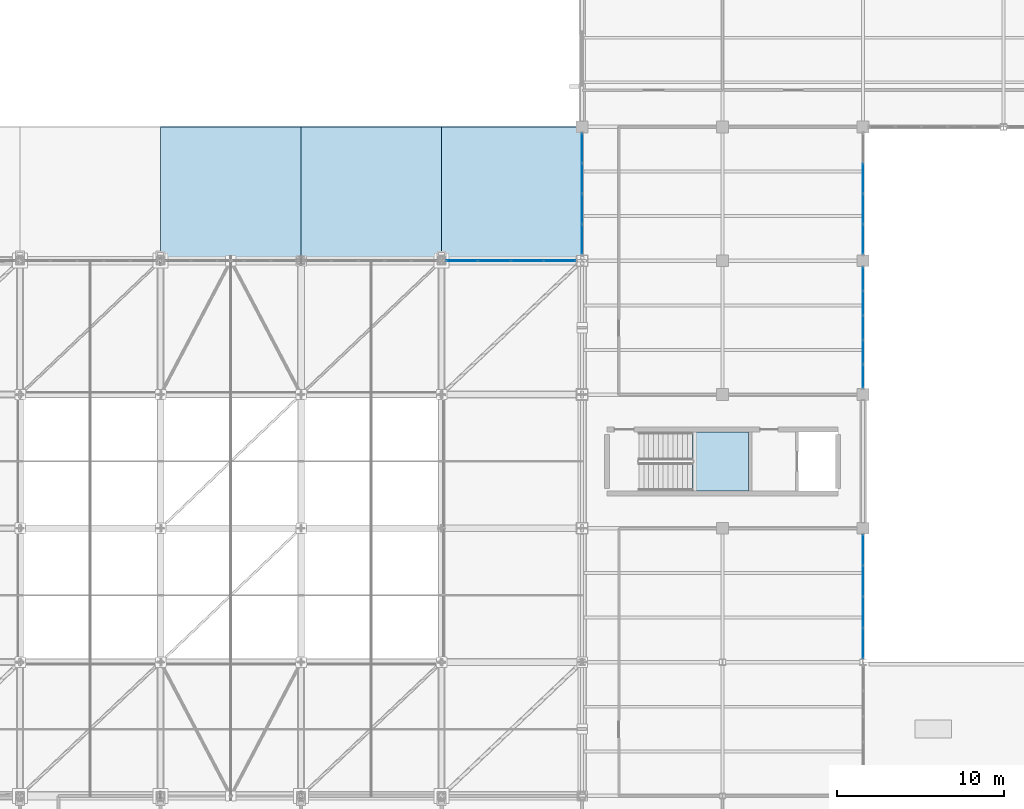
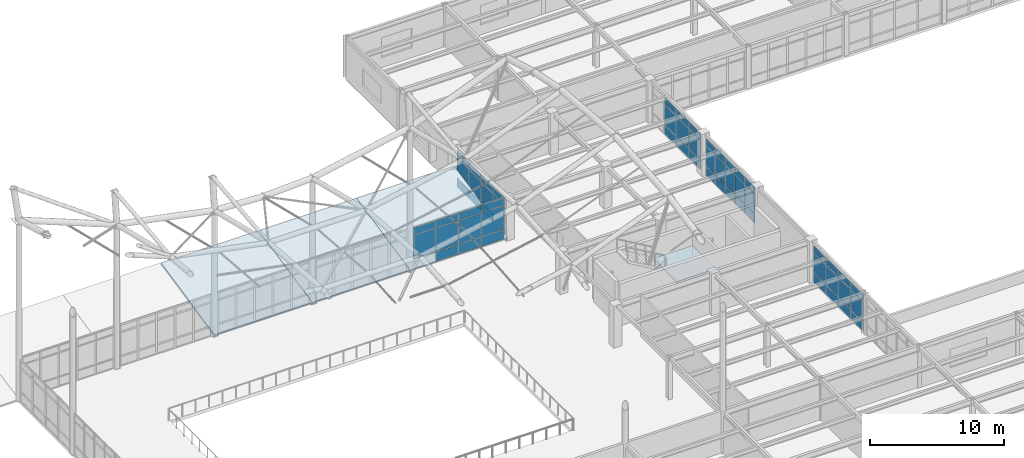
# One storey, part 63 of 138: 59 plates, 4 slabs, 6 elements without a shape of their own.
"""IFC4 building model written with IfcOpenShell, lengths in metres."""

from ifc_helpers import new_model, si_unit, direction, frame, origin, origin_2d, place, context, subcontext, project, spatial, polyline, rectangle, outline, extrude, material, layer, layer_set, type_object, element, aggregate, save


model = new_model("IFC4")

# Units and contexts
model_context = context("Model", 3, precision=1e-05, world=origin(), true_north=direction((0.0, 1.0)))
body_context = subcontext(model_context, "Body", "Model", "MODEL_VIEW")
ifc_project = project(units=[si_unit("LENGTHUNIT", "METRE"), si_unit("AREAUNIT", "SQUARE_METRE"), si_unit("VOLUMEUNIT", "CUBIC_METRE"), si_unit("PLANEANGLEUNIT", "RADIAN"), si_unit("MASSUNIT", "GRAM", prefix="KILO")], contexts=[model_context])

# Site, building, storey
site_placement = place(None, origin())
site = spatial("IfcSite", under=ifc_project, at=site_placement, CompositionType="ELEMENT")
building_placement = place(site_placement, origin())
building = spatial("IfcBuilding", under=site, at=building_placement, Name="Kranzveld Transit Interchange", CompositionType="ELEMENT")
storey_placement = place(building_placement, frame((0.0, 0.0, 5.43994140625)))
storey = spatial("IfcBuildingStorey", under=building, at=storey_placement, Name="L01", CompositionType="ELEMENT", Elevation=5.43994140625)

# Curtain wall, plates
ifc_material_1 = material(Name="Bronze-anodised thermally broken aluminium", Category="aluminium")
ifc_layer_1 = layer(ifc_material_1, 0.159912109375)
ifc_layer_set_1 = layer_set([ifc_layer_1], Name="Bronze-anodised thermally broken aluminium")
curtain_wall_type_1 = type_object("IfcCurtainWallType", Name="Bus Boarding Glazed Screen CW-3", PredefinedType="USERDEFINED", material=ifc_layer_set_1)
curtain_wall_1_placement = place(storey_placement, origin())
curtain_wall_1 = element("IfcCurtainWall", 1, at=curtain_wall_1_placement, inside=storey, type_object=curtain_wall_type_1, Name="L01 Curtain Wall 15/J-15/K", ObjectType="CURTAIN WALL", PredefinedType="USERDEFINED")
ifc_material_2 = material(Name="Solar-control double glazing", Category="glass")
ifc_layer_2 = layer(ifc_material_2, 0.031982421875)
ifc_layer_set_2 = layer_set([ifc_layer_2], Name="Solar-control double glazing")
plate_type_1 = type_object("IfcPlateType", Name="Curtain Panel Acoustic Glazing 32", PredefinedType="CURTAIN_PANEL", material=ifc_layer_set_2)
plate_1_placement = place(storey_placement, frame((117.60009765625, 65.13525390625, 0.06005859375), z_axis=(0.0, 0.0, 1.0), x_axis=(0.0, 1.0, 0.0)))
plate_1 = element("IfcPlate", 2, at=plate_1_placement, type_object=plate_type_1, Name="CW-3 panel 1.1", PredefinedType="CURTAIN_PANEL", context=body_context, shape_type="SweptSolid", body=[
    extrude(rectangle(XDim=1.775634765625, YDim=0.031982421875, at=origin_2d()), origin(), (0.0, 0.0, 1.0), 0.81005859375),
])
plate_2_placement = place(storey_placement, frame((117.60009765625, 65.13525390625, 0.93017578125), z_axis=(0.0, 0.0, 1.0), x_axis=(0.0, 1.0, 0.0)))
plate_2 = element("IfcPlate", 3, at=plate_2_placement, type_object=plate_type_1, Name="CW-3 panel 1.2", PredefinedType="CURTAIN_PANEL", context=body_context, shape_type="SweptSolid", body=[
    extrude(rectangle(XDim=1.775634765625, YDim=0.031982421875, at=origin_2d()), origin(), (0.0, 0.0, 1.0), 1.781982421875),
])
plate_3_placement = place(storey_placement, frame((117.60009765625, 65.13525390625, 2.77197265625), z_axis=(0.0, 0.0, 1.0), x_axis=(0.0, 1.0, 0.0)))
plate_3 = element("IfcPlate", 4, at=plate_3_placement, type_object=plate_type_1, Name="CW-3 panel 1.3", PredefinedType="CURTAIN_PANEL", context=body_context, shape_type="SweptSolid", body=[
    extrude(rectangle(XDim=1.775634765625, YDim=0.031982421875, at=origin_2d()), origin(), (0.0, 0.0, 1.0), 0.610107421875),
])
plate_4_placement = place(storey_placement, frame((117.60009765625, 66.98583984375, 0.06005859375), z_axis=(0.0, 0.0, 1.0), x_axis=(0.0, 1.0, 0.0)))
plate_4 = element("IfcPlate", 5, at=plate_4_placement, type_object=plate_type_1, Name="CW-3 panel 2.1", PredefinedType="CURTAIN_PANEL", context=body_context, shape_type="SweptSolid", body=[
    extrude(rectangle(XDim=1.8056640625, YDim=0.031982421875, at=origin_2d()), origin(), (0.0, 0.0, 1.0), 0.81005859375),
])
plate_5_placement = place(storey_placement, frame((117.60009765625, 66.98583984375, 0.93017578125), z_axis=(0.0, 0.0, 1.0), x_axis=(0.0, 1.0, 0.0)))
plate_5 = element("IfcPlate", 6, at=plate_5_placement, type_object=plate_type_1, Name="CW-3 panel 2.2", PredefinedType="CURTAIN_PANEL", context=body_context, shape_type="SweptSolid", body=[
    extrude(rectangle(XDim=1.8056640625, YDim=0.031982421875, at=origin_2d()), origin(), (0.0, 0.0, 1.0), 1.781982421875),
])
plate_6_placement = place(storey_placement, frame((117.60009765625, 66.98583984375, 2.77197265625), z_axis=(0.0, 0.0, 1.0), x_axis=(0.0, 1.0, 0.0)))
plate_6 = element("IfcPlate", 7, at=plate_6_placement, type_object=plate_type_1, Name="CW-3 panel 2.3", PredefinedType="CURTAIN_PANEL", context=body_context, shape_type="SweptSolid", body=[
    extrude(rectangle(XDim=1.8056640625, YDim=0.031982421875, at=origin_2d()), origin(), (0.0, 0.0, 1.0), 0.610107421875),
])
plate_7_placement = place(storey_placement, frame((117.60009765625, 68.8515625, 0.06005859375), z_axis=(0.0, 0.0, 1.0), x_axis=(0.0, 1.0, 0.0)))
plate_7 = element("IfcPlate", 8, at=plate_7_placement, type_object=plate_type_1, Name="CW-3 panel 3.1", PredefinedType="CURTAIN_PANEL", context=body_context, shape_type="SweptSolid", body=[
    extrude(rectangle(XDim=1.8056640625, YDim=0.031982421875, at=origin_2d()), origin(), (0.0, 0.0, 1.0), 0.81005859375),
])
plate_8_placement = place(storey_placement, frame((117.60009765625, 68.8515625, 0.93017578125), z_axis=(0.0, 0.0, 1.0), x_axis=(0.0, 1.0, 0.0)))
plate_8 = element("IfcPlate", 9, at=plate_8_placement, type_object=plate_type_1, Name="CW-3 panel 3.2", PredefinedType="CURTAIN_PANEL", context=body_context, shape_type="SweptSolid", body=[
    extrude(rectangle(XDim=1.8056640625, YDim=0.031982421875, at=origin_2d()), origin(), (0.0, 0.0, 1.0), 1.781982421875),
])
plate_9_placement = place(storey_placement, frame((117.60009765625, 68.8515625, 2.77197265625), z_axis=(0.0, 0.0, 1.0), x_axis=(0.0, 1.0, 0.0)))
plate_9 = element("IfcPlate", 10, at=plate_9_placement, type_object=plate_type_1, Name="CW-3 panel 3.3", PredefinedType="CURTAIN_PANEL", context=body_context, shape_type="SweptSolid", body=[
    extrude(rectangle(XDim=1.8056640625, YDim=0.031982421875, at=origin_2d()), origin(), (0.0, 0.0, 1.0), 0.610107421875),
])
plate_10_placement = place(storey_placement, frame((117.60009765625, 70.7021484375, 0.06005859375), z_axis=(0.0, 0.0, 1.0), x_axis=(0.0, 1.0, 0.0)))
plate_10 = element("IfcPlate", 11, at=plate_10_placement, type_object=plate_type_1, Name="CW-3 panel 4.1", PredefinedType="CURTAIN_PANEL", context=body_context, shape_type="SweptSolid", body=[
    extrude(rectangle(XDim=1.775634765625, YDim=0.031982421875, at=origin_2d()), origin(), (0.0, 0.0, 1.0), 0.81005859375),
])
plate_11_placement = place(storey_placement, frame((117.60009765625, 70.7021484375, 0.93017578125), z_axis=(0.0, 0.0, 1.0), x_axis=(0.0, 1.0, 0.0)))
plate_11 = element("IfcPlate", 12, at=plate_11_placement, type_object=plate_type_1, Name="CW-3 panel 4.2", PredefinedType="CURTAIN_PANEL", context=body_context, shape_type="SweptSolid", body=[
    extrude(rectangle(XDim=1.775634765625, YDim=0.031982421875, at=origin_2d()), origin(), (0.0, 0.0, 1.0), 1.781982421875),
])
plate_12_placement = place(storey_placement, frame((117.60009765625, 70.7021484375, 2.77197265625), z_axis=(0.0, 0.0, 1.0), x_axis=(0.0, 1.0, 0.0)))
plate_12 = element("IfcPlate", 13, at=plate_12_placement, type_object=plate_type_1, Name="CW-3 panel 4.3", PredefinedType="CURTAIN_PANEL", context=body_context, shape_type="SweptSolid", body=[
    extrude(rectangle(XDim=1.775634765625, YDim=0.031982421875, at=origin_2d()), origin(), (0.0, 0.0, 1.0), 0.610107421875),
])
aggregate(curtain_wall_1, [plate_1, plate_2, plate_3, plate_4, plate_5, plate_6, plate_7, plate_8, plate_9, plate_10, plate_11, plate_12])

ifc_material_3 = material(Name="Bronze-anodised thermally broken aluminium", Category="aluminium")
ifc_layer_3 = layer(ifc_material_3, 0.179931640625)
ifc_layer_set_3 = layer_set([ifc_layer_3], Name="Bronze-anodised thermally broken aluminium")
curtain_wall_type_2 = type_object("IfcCurtainWallType", Name="Concourse Unitised Curtain Wall CW-1", PredefinedType="USERDEFINED", material=ifc_layer_set_3)
curtain_wall_2_placement = place(storey_placement, origin())
curtain_wall_2 = element("IfcCurtainWall", 14, at=curtain_wall_2_placement, inside=storey, type_object=curtain_wall_type_2, Name="L01 Curtain Wall 13/M-13/N", ObjectType="CURTAIN WALL", PredefinedType="USERDEFINED")
ifc_material_4 = material(Name="Solar-control double glazing", Category="glass")
ifc_layer_4 = layer(ifc_material_4, 0.028076171875)
ifc_layer_set_4 = layer_set([ifc_layer_4], Name="Solar-control double glazing")
plate_type_2 = type_object("IfcPlateType", Name="Curtain Panel Double Glazing 28", PredefinedType="CURTAIN_PANEL", material=ifc_layer_set_4)
plate_13_placement = place(storey_placement, frame((100.800048828125, 89.27880859375, 0.06494140625), z_axis=(0.0, 0.0, 1.0), x_axis=(0.0, 1.0, 0.0)))
plate_13 = element("IfcPlate", 15, at=plate_13_placement, type_object=plate_type_2, Name="CW-1 panel 1.1", PredefinedType="CURTAIN_PANEL", context=body_context, shape_type="SweptSolid", body=[
    extrude(rectangle(XDim=1.7275390625, YDim=0.028076171875, at=origin_2d()), origin(), (0.0, 0.0, 1.0), 0.802490234375),
])
plate_14_placement = place(storey_placement, frame((100.800048828125, 89.27880859375, 0.9326171875), z_axis=(0.0, 0.0, 1.0), x_axis=(0.0, 1.0, 0.0)))
plate_14 = element("IfcPlate", 16, at=plate_14_placement, type_object=plate_type_2, Name="CW-1 panel 1.2", PredefinedType="CURTAIN_PANEL", context=body_context, shape_type="SweptSolid", body=[
    extrude(rectangle(XDim=1.7275390625, YDim=0.028076171875, at=origin_2d()), origin(), (0.0, 0.0, 1.0), 1.777099609375),
])
plate_15_placement = place(storey_placement, frame((100.800048828125, 89.27880859375, 2.774658203125), z_axis=(0.0, 0.0, 1.0), x_axis=(0.0, 1.0, 0.0)))
plate_15 = element("IfcPlate", 17, at=plate_15_placement, type_object=plate_type_2, Name="CW-1 panel 1.3", PredefinedType="CURTAIN_PANEL", context=body_context, shape_type="SweptSolid", body=[
    extrude(rectangle(XDim=1.7275390625, YDim=0.028076171875, at=origin_2d()), origin(), (0.0, 0.0, 1.0), 0.6025390625),
])
plate_16_placement = place(storey_placement, frame((100.800048828125, 91.08740234375, 0.06494140625), z_axis=(0.0, 0.0, 1.0), x_axis=(0.0, 1.0, 0.0)))
plate_16 = element("IfcPlate", 18, at=plate_16_placement, type_object=plate_type_2, Name="CW-1 panel 2.1", PredefinedType="CURTAIN_PANEL", context=body_context, shape_type="SweptSolid", body=[
    extrude(rectangle(XDim=1.760009765625, YDim=0.028076171875, at=origin_2d()), origin(), (0.0, 0.0, 1.0), 0.802490234375),
])
plate_17_placement = place(storey_placement, frame((100.800048828125, 91.08740234375, 0.9326171875), z_axis=(0.0, 0.0, 1.0), x_axis=(0.0, 1.0, 0.0)))
plate_17 = element("IfcPlate", 19, at=plate_17_placement, type_object=plate_type_2, Name="CW-1 panel 2.2", PredefinedType="CURTAIN_PANEL", context=body_context, shape_type="SweptSolid", body=[
    extrude(rectangle(XDim=1.760009765625, YDim=0.028076171875, at=origin_2d()), origin(), (0.0, 0.0, 1.0), 1.777099609375),
])
plate_18_placement = place(storey_placement, frame((100.800048828125, 91.08740234375, 2.774658203125), z_axis=(0.0, 0.0, 1.0), x_axis=(0.0, 1.0, 0.0)))
plate_18 = element("IfcPlate", 20, at=plate_18_placement, type_object=plate_type_2, Name="CW-1 panel 2.3", PredefinedType="CURTAIN_PANEL", context=body_context, shape_type="SweptSolid", body=[
    extrude(rectangle(XDim=1.760009765625, YDim=0.028076171875, at=origin_2d()), origin(), (0.0, 0.0, 1.0), 0.6025390625),
])
plate_19_placement = place(storey_placement, frame((100.800048828125, 92.91259765625, 0.06494140625), z_axis=(0.0, 0.0, 1.0), x_axis=(0.0, 1.0, 0.0)))
plate_19 = element("IfcPlate", 21, at=plate_19_placement, type_object=plate_type_2, Name="CW-1 panel 3.1", PredefinedType="CURTAIN_PANEL", context=body_context, shape_type="SweptSolid", body=[
    extrude(rectangle(XDim=1.760009765625, YDim=0.028076171875, at=origin_2d()), origin(), (0.0, 0.0, 1.0), 0.802490234375),
])
plate_20_placement = place(storey_placement, frame((100.800048828125, 92.91259765625, 0.9326171875), z_axis=(0.0, 0.0, 1.0), x_axis=(0.0, 1.0, 0.0)))
plate_20 = element("IfcPlate", 22, at=plate_20_placement, type_object=plate_type_2, Name="CW-1 panel 3.2", PredefinedType="CURTAIN_PANEL", context=body_context, shape_type="SweptSolid", body=[
    extrude(rectangle(XDim=1.760009765625, YDim=0.028076171875, at=origin_2d()), origin(), (0.0, 0.0, 1.0), 1.777099609375),
])
plate_21_placement = place(storey_placement, frame((100.800048828125, 92.91259765625, 2.774658203125), z_axis=(0.0, 0.0, 1.0), x_axis=(0.0, 1.0, 0.0)))
plate_21 = element("IfcPlate", 23, at=plate_21_placement, type_object=plate_type_2, Name="CW-1 panel 3.3", PredefinedType="CURTAIN_PANEL", context=body_context, shape_type="SweptSolid", body=[
    extrude(rectangle(XDim=1.760009765625, YDim=0.028076171875, at=origin_2d()), origin(), (0.0, 0.0, 1.0), 0.6025390625),
])
plate_22_placement = place(storey_placement, frame((100.800048828125, 94.72119140625, 0.06494140625), z_axis=(0.0, 0.0, 1.0), x_axis=(0.0, 1.0, 0.0)))
plate_22 = element("IfcPlate", 24, at=plate_22_placement, type_object=plate_type_2, Name="CW-1 panel 4.1", PredefinedType="CURTAIN_PANEL", context=body_context, shape_type="SweptSolid", body=[
    extrude(rectangle(XDim=1.7275390625, YDim=0.028076171875, at=origin_2d()), origin(), (0.0, 0.0, 1.0), 0.802490234375),
])
plate_23_placement = place(storey_placement, frame((100.800048828125, 94.72119140625, 0.9326171875), z_axis=(0.0, 0.0, 1.0), x_axis=(0.0, 1.0, 0.0)))
plate_23 = element("IfcPlate", 25, at=plate_23_placement, type_object=plate_type_2, Name="CW-1 panel 4.2", PredefinedType="CURTAIN_PANEL", context=body_context, shape_type="SweptSolid", body=[
    extrude(rectangle(XDim=1.7275390625, YDim=0.028076171875, at=origin_2d()), origin(), (0.0, 0.0, 1.0), 1.777099609375),
])
plate_24_placement = place(storey_placement, frame((100.800048828125, 94.72119140625, 2.774658203125), z_axis=(0.0, 0.0, 1.0), x_axis=(0.0, 1.0, 0.0)))
plate_24 = element("IfcPlate", 26, at=plate_24_placement, type_object=plate_type_2, Name="CW-1 panel 4.3", PredefinedType="CURTAIN_PANEL", context=body_context, shape_type="SweptSolid", body=[
    extrude(rectangle(XDim=1.7275390625, YDim=0.028076171875, at=origin_2d()), origin(), (0.0, 0.0, 1.0), 0.6025390625),
])
aggregate(curtain_wall_2, [plate_13, plate_14, plate_15, plate_16, plate_17, plate_18, plate_19, plate_20, plate_21, plate_22, plate_23, plate_24])

ifc_material_5 = material(Name="Bronze-anodised thermally broken aluminium", Category="aluminium")
ifc_layer_5 = layer(ifc_material_5, 0.14990234375)
ifc_layer_set_5 = layer_set([ifc_layer_5], Name="Bronze-anodised thermally broken aluminium")
curtain_wall_type_3 = type_object("IfcCurtainWallType", Name="Public Passage Clerestory Screen CW-4", PredefinedType="USERDEFINED", material=ifc_layer_set_5)
curtain_wall_3_placement = place(storey_placement, origin())
curtain_wall_3 = element("IfcCurtainWall", 27, at=curtain_wall_3_placement, inside=storey, type_object=curtain_wall_type_3, Name="L01 Curtain Wall 15/L-15/M", ObjectType="CURTAIN WALL", PredefinedType="USERDEFINED")
ifc_material_6 = material(Name="Solar-control double glazing", Category="glass")
ifc_layer_6 = layer(ifc_material_6, 0.0419921875)
ifc_layer_set_6 = layer_set([ifc_layer_6], Name="Solar-control double glazing")
plate_type_3 = type_object("IfcPlateType", Name="Curtain Panel Laminated Glazing 42", PredefinedType="CURTAIN_PANEL", material=ifc_layer_set_6)
plate_25_placement = place(storey_placement, frame((117.60009765625, 81.094970703125, 0.06005859375), z_axis=(0.0, 0.0, 1.0), x_axis=(0.0, 1.0, 0.0)))
plate_25 = element("IfcPlate", 28, at=plate_25_placement, type_object=plate_type_3, Name="CW-4 panel 1.1", PredefinedType="CURTAIN_PANEL", context=body_context, shape_type="SweptSolid", body=[
    extrude(rectangle(XDim=1.3701171875, YDim=0.0419921875, at=origin_2d()), origin(), (0.0, 0.0, 1.0), 0.81005859375),
])
plate_26_placement = place(storey_placement, frame((117.60009765625, 81.094970703125, 0.93017578125), z_axis=(0.0, 0.0, 1.0), x_axis=(0.0, 1.0, 0.0)))
plate_26 = element("IfcPlate", 29, at=plate_26_placement, type_object=plate_type_3, Name="CW-4 panel 1.2", PredefinedType="CURTAIN_PANEL", context=body_context, shape_type="SweptSolid", body=[
    extrude(rectangle(XDim=1.3701171875, YDim=0.0419921875, at=origin_2d()), origin(), (0.0, 0.0, 1.0), 1.781982421875),
])
plate_27_placement = place(storey_placement, frame((117.60009765625, 81.094970703125, 2.77197265625), z_axis=(0.0, 0.0, 1.0), x_axis=(0.0, 1.0, 0.0)))
plate_27 = element("IfcPlate", 30, at=plate_27_placement, type_object=plate_type_3, Name="CW-4 panel 1.3", PredefinedType="CURTAIN_PANEL", context=body_context, shape_type="SweptSolid", body=[
    extrude(rectangle(XDim=1.3701171875, YDim=0.0419921875, at=origin_2d()), origin(), (0.0, 0.0, 1.0), 0.610107421875),
])
plate_28_placement = place(storey_placement, frame((117.60009765625, 82.5400390625, 0.06005859375), z_axis=(0.0, 0.0, 1.0), x_axis=(0.0, 1.0, 0.0)))
plate_28 = element("IfcPlate", 31, at=plate_28_placement, type_object=plate_type_3, Name="CW-4 panel 2.1", PredefinedType="CURTAIN_PANEL", context=body_context, shape_type="SweptSolid", body=[
    extrude(rectangle(XDim=1.39990234375, YDim=0.0419921875, at=origin_2d()), origin(), (0.0, 0.0, 1.0), 0.81005859375),
])
plate_29_placement = place(storey_placement, frame((117.60009765625, 82.5400390625, 0.93017578125), z_axis=(0.0, 0.0, 1.0), x_axis=(0.0, 1.0, 0.0)))
plate_29 = element("IfcPlate", 32, at=plate_29_placement, type_object=plate_type_3, Name="CW-4 panel 2.2", PredefinedType="CURTAIN_PANEL", context=body_context, shape_type="SweptSolid", body=[
    extrude(rectangle(XDim=1.39990234375, YDim=0.0419921875, at=origin_2d()), origin(), (0.0, 0.0, 1.0), 1.781982421875),
])
plate_30_placement = place(storey_placement, frame((117.60009765625, 82.5400390625, 2.77197265625), z_axis=(0.0, 0.0, 1.0), x_axis=(0.0, 1.0, 0.0)))
plate_30 = element("IfcPlate", 33, at=plate_30_placement, type_object=plate_type_3, Name="CW-4 panel 2.3", PredefinedType="CURTAIN_PANEL", context=body_context, shape_type="SweptSolid", body=[
    extrude(rectangle(XDim=1.39990234375, YDim=0.0419921875, at=origin_2d()), origin(), (0.0, 0.0, 1.0), 0.610107421875),
])
plate_31_placement = place(storey_placement, frame((117.60009765625, 84.0, 0.06005859375), z_axis=(0.0, 0.0, 1.0), x_axis=(0.0, 1.0, 0.0)))
plate_31 = element("IfcPlate", 34, at=plate_31_placement, type_object=plate_type_3, Name="CW-4 panel 3.1", PredefinedType="CURTAIN_PANEL", context=body_context, shape_type="SweptSolid", body=[
    extrude(rectangle(XDim=1.39990234375, YDim=0.0419921875, at=origin_2d()), origin(), (0.0, 0.0, 1.0), 0.81005859375),
])
plate_32_placement = place(storey_placement, frame((117.60009765625, 84.0, 0.93017578125), z_axis=(0.0, 0.0, 1.0), x_axis=(0.0, 1.0, 0.0)))
plate_32 = element("IfcPlate", 35, at=plate_32_placement, type_object=plate_type_3, Name="CW-4 panel 3.2", PredefinedType="CURTAIN_PANEL", context=body_context, shape_type="SweptSolid", body=[
    extrude(rectangle(XDim=1.39990234375, YDim=0.0419921875, at=origin_2d()), origin(), (0.0, 0.0, 1.0), 1.781982421875),
])
plate_33_placement = place(storey_placement, frame((117.60009765625, 84.0, 2.77197265625), z_axis=(0.0, 0.0, 1.0), x_axis=(0.0, 1.0, 0.0)))
plate_33 = element("IfcPlate", 36, at=plate_33_placement, type_object=plate_type_3, Name="CW-4 panel 3.3", PredefinedType="CURTAIN_PANEL", context=body_context, shape_type="SweptSolid", body=[
    extrude(rectangle(XDim=1.39990234375, YDim=0.0419921875, at=origin_2d()), origin(), (0.0, 0.0, 1.0), 0.610107421875),
])
plate_34_placement = place(storey_placement, frame((117.60009765625, 85.4599609375, 0.06005859375), z_axis=(0.0, 0.0, 1.0), x_axis=(0.0, 1.0, 0.0)))
plate_34 = element("IfcPlate", 37, at=plate_34_placement, type_object=plate_type_3, Name="CW-4 panel 4.1", PredefinedType="CURTAIN_PANEL", context=body_context, shape_type="SweptSolid", body=[
    extrude(rectangle(XDim=1.39990234375, YDim=0.0419921875, at=origin_2d()), origin(), (0.0, 0.0, 1.0), 0.81005859375),
])
plate_35_placement = place(storey_placement, frame((117.60009765625, 85.4599609375, 0.93017578125), z_axis=(0.0, 0.0, 1.0), x_axis=(0.0, 1.0, 0.0)))
plate_35 = element("IfcPlate", 38, at=plate_35_placement, type_object=plate_type_3, Name="CW-4 panel 4.2", PredefinedType="CURTAIN_PANEL", context=body_context, shape_type="SweptSolid", body=[
    extrude(rectangle(XDim=1.39990234375, YDim=0.0419921875, at=origin_2d()), origin(), (0.0, 0.0, 1.0), 1.781982421875),
])
plate_36_placement = place(storey_placement, frame((117.60009765625, 85.4599609375, 2.77197265625), z_axis=(0.0, 0.0, 1.0), x_axis=(0.0, 1.0, 0.0)))
plate_36 = element("IfcPlate", 39, at=plate_36_placement, type_object=plate_type_3, Name="CW-4 panel 4.3", PredefinedType="CURTAIN_PANEL", context=body_context, shape_type="SweptSolid", body=[
    extrude(rectangle(XDim=1.39990234375, YDim=0.0419921875, at=origin_2d()), origin(), (0.0, 0.0, 1.0), 0.610107421875),
])
plate_37_placement = place(storey_placement, frame((117.60009765625, 86.905029296875, 0.06005859375), z_axis=(0.0, 0.0, 1.0), x_axis=(0.0, 1.0, 0.0)))
plate_37 = element("IfcPlate", 40, at=plate_37_placement, type_object=plate_type_3, Name="CW-4 panel 5.1", PredefinedType="CURTAIN_PANEL", context=body_context, shape_type="SweptSolid", body=[
    extrude(rectangle(XDim=1.3701171875, YDim=0.0419921875, at=origin_2d()), origin(), (0.0, 0.0, 1.0), 0.81005859375),
])
plate_38_placement = place(storey_placement, frame((117.60009765625, 86.905029296875, 0.93017578125), z_axis=(0.0, 0.0, 1.0), x_axis=(0.0, 1.0, 0.0)))
plate_38 = element("IfcPlate", 41, at=plate_38_placement, type_object=plate_type_3, Name="CW-4 panel 5.2", PredefinedType="CURTAIN_PANEL", context=body_context, shape_type="SweptSolid", body=[
    extrude(rectangle(XDim=1.3701171875, YDim=0.0419921875, at=origin_2d()), origin(), (0.0, 0.0, 1.0), 1.781982421875),
])
plate_39_placement = place(storey_placement, frame((117.60009765625, 86.905029296875, 2.77197265625), z_axis=(0.0, 0.0, 1.0), x_axis=(0.0, 1.0, 0.0)))
plate_39 = element("IfcPlate", 42, at=plate_39_placement, type_object=plate_type_3, Name="CW-4 panel 5.3", PredefinedType="CURTAIN_PANEL", context=body_context, shape_type="SweptSolid", body=[
    extrude(rectangle(XDim=1.3701171875, YDim=0.0419921875, at=origin_2d()), origin(), (0.0, 0.0, 1.0), 0.610107421875),
])
aggregate(curtain_wall_3, [plate_25, plate_26, plate_27, plate_28, plate_29, plate_30, plate_31, plate_32, plate_33, plate_34, plate_35, plate_36, plate_37, plate_38, plate_39])

ifc_material_7 = material(Name="Bronze-anodised thermally broken aluminium", Category="aluminium")
ifc_layer_7 = layer(ifc_material_7, 0.18505859375)
ifc_layer_set_7 = layer_set([ifc_layer_7], Name="Bronze-anodised thermally broken aluminium")
curtain_wall_type_4 = type_object("IfcCurtainWallType", Name="Control Crown Observation Facade CW-5", PredefinedType="USERDEFINED", material=ifc_layer_set_7)
curtain_wall_4_placement = place(storey_placement, origin())
curtain_wall_4 = element("IfcCurtainWall", 43, at=curtain_wall_4_placement, inside=storey, type_object=curtain_wall_type_4, Name="L01 Curtain Wall 15/M-15/N", ObjectType="CURTAIN WALL", PredefinedType="USERDEFINED")
ifc_material_8 = material(Name="Solar-control double glazing", Category="glass")
ifc_layer_8 = layer(ifc_material_8, 0.035888671875)
ifc_layer_set_8 = layer_set([ifc_layer_8], Name="Solar-control double glazing")
plate_type_4 = type_object("IfcPlateType", Name="Curtain Panel Triple Glazing 36", PredefinedType="CURTAIN_PANEL", material=ifc_layer_set_8)
plate_40_placement = place(storey_placement, frame((117.60009765625, 89.27880859375, 0.06494140625), z_axis=(0.0, 0.0, 1.0), x_axis=(0.0, 1.0, 0.0)))
plate_40 = element("IfcPlate", 44, at=plate_40_placement, type_object=plate_type_4, Name="CW-5 panel 1.1", PredefinedType="CURTAIN_PANEL", context=body_context, shape_type="SweptSolid", body=[
    extrude(rectangle(XDim=1.7275390625, YDim=0.035888671875, at=origin_2d()), origin(), (0.0, 0.0, 1.0), 0.802490234375),
])
plate_41_placement = place(storey_placement, frame((117.60009765625, 89.27880859375, 0.9326171875), z_axis=(0.0, 0.0, 1.0), x_axis=(0.0, 1.0, 0.0)))
plate_41 = element("IfcPlate", 45, at=plate_41_placement, type_object=plate_type_4, Name="CW-5 panel 1.2", PredefinedType="CURTAIN_PANEL", context=body_context, shape_type="SweptSolid", body=[
    extrude(rectangle(XDim=1.7275390625, YDim=0.035888671875, at=origin_2d()), origin(), (0.0, 0.0, 1.0), 1.777099609375),
])
plate_42_placement = place(storey_placement, frame((117.60009765625, 89.27880859375, 2.774658203125), z_axis=(0.0, 0.0, 1.0), x_axis=(0.0, 1.0, 0.0)))
plate_42 = element("IfcPlate", 46, at=plate_42_placement, type_object=plate_type_4, Name="CW-5 panel 1.3", PredefinedType="CURTAIN_PANEL", context=body_context, shape_type="SweptSolid", body=[
    extrude(rectangle(XDim=1.7275390625, YDim=0.035888671875, at=origin_2d()), origin(), (0.0, 0.0, 1.0), 0.6025390625),
])
plate_43_placement = place(storey_placement, frame((117.60009765625, 91.08740234375, 0.06494140625), z_axis=(0.0, 0.0, 1.0), x_axis=(0.0, 1.0, 0.0)))
plate_43 = element("IfcPlate", 47, at=plate_43_placement, type_object=plate_type_4, Name="CW-5 panel 2.1", PredefinedType="CURTAIN_PANEL", context=body_context, shape_type="SweptSolid", body=[
    extrude(rectangle(XDim=1.760009765625, YDim=0.035888671875, at=origin_2d()), origin(), (0.0, 0.0, 1.0), 0.802490234375),
])
plate_44_placement = place(storey_placement, frame((117.60009765625, 91.08740234375, 0.9326171875), z_axis=(0.0, 0.0, 1.0), x_axis=(0.0, 1.0, 0.0)))
plate_44 = element("IfcPlate", 48, at=plate_44_placement, type_object=plate_type_4, Name="CW-5 panel 2.2", PredefinedType="CURTAIN_PANEL", context=body_context, shape_type="SweptSolid", body=[
    extrude(rectangle(XDim=1.760009765625, YDim=0.035888671875, at=origin_2d()), origin(), (0.0, 0.0, 1.0), 1.777099609375),
])
plate_45_placement = place(storey_placement, frame((117.60009765625, 91.08740234375, 2.774658203125), z_axis=(0.0, 0.0, 1.0), x_axis=(0.0, 1.0, 0.0)))
plate_45 = element("IfcPlate", 49, at=plate_45_placement, type_object=plate_type_4, Name="CW-5 panel 2.3", PredefinedType="CURTAIN_PANEL", context=body_context, shape_type="SweptSolid", body=[
    extrude(rectangle(XDim=1.760009765625, YDim=0.035888671875, at=origin_2d()), origin(), (0.0, 0.0, 1.0), 0.6025390625),
])
plate_46_placement = place(storey_placement, frame((117.60009765625, 92.91259765625, 0.06494140625), z_axis=(0.0, 0.0, 1.0), x_axis=(0.0, 1.0, 0.0)))
plate_46 = element("IfcPlate", 50, at=plate_46_placement, type_object=plate_type_4, Name="CW-5 panel 3.1", PredefinedType="CURTAIN_PANEL", context=body_context, shape_type="SweptSolid", body=[
    extrude(rectangle(XDim=1.760009765625, YDim=0.035888671875, at=origin_2d()), origin(), (0.0, 0.0, 1.0), 0.802490234375),
])
plate_47_placement = place(storey_placement, frame((117.60009765625, 92.91259765625, 0.9326171875), z_axis=(0.0, 0.0, 1.0), x_axis=(0.0, 1.0, 0.0)))
plate_47 = element("IfcPlate", 51, at=plate_47_placement, type_object=plate_type_4, Name="CW-5 panel 3.2", PredefinedType="CURTAIN_PANEL", context=body_context, shape_type="SweptSolid", body=[
    extrude(rectangle(XDim=1.760009765625, YDim=0.035888671875, at=origin_2d()), origin(), (0.0, 0.0, 1.0), 1.777099609375),
])
plate_48_placement = place(storey_placement, frame((117.60009765625, 92.91259765625, 2.774658203125), z_axis=(0.0, 0.0, 1.0), x_axis=(0.0, 1.0, 0.0)))
plate_48 = element("IfcPlate", 52, at=plate_48_placement, type_object=plate_type_4, Name="CW-5 panel 3.3", PredefinedType="CURTAIN_PANEL", context=body_context, shape_type="SweptSolid", body=[
    extrude(rectangle(XDim=1.760009765625, YDim=0.035888671875, at=origin_2d()), origin(), (0.0, 0.0, 1.0), 0.6025390625),
])
aggregate(curtain_wall_4, [plate_40, plate_41, plate_42, plate_43, plate_44, plate_45, plate_46, plate_47, plate_48])

curtain_wall_5_placement = place(storey_placement, origin())
curtain_wall_5 = element("IfcCurtainWall", 53, at=curtain_wall_5_placement, inside=storey, type_object=curtain_wall_type_1, Name="L01 Curtain Wall 12/M-13/M", ObjectType="CURTAIN WALL", PredefinedType="USERDEFINED")
ifc_material_9 = material(Name="Bronze-anodised thermally broken aluminium", Category="aluminium")
ifc_layer_9 = layer(ifc_material_9, 0.053955078125)
ifc_layer_set_9 = layer_set([ifc_layer_9], Name="Bronze-anodised thermally broken aluminium")
plate_type_5 = type_object("IfcPlateType", Name="Curtain Spandrel Insulated Alu 54", PredefinedType="CURTAIN_PANEL", material=ifc_layer_set_9)
plate_49_placement = place(storey_placement, frame((93.62109375, 88.0, 0.9326171875), z_axis=(0.0, 0.0, 1.0), x_axis=(1.0, 0.0, 0.0)))
plate_49 = element("IfcPlate", 54, at=plate_49_placement, type_object=plate_type_5, Name="CW-3 panel 1.2", PredefinedType="CURTAIN_PANEL", context=body_context, shape_type="SweptSolid", body=[
    extrude(rectangle(XDim=1.865478515625, YDim=0.053955078125, at=origin_2d()), origin(), (0.0, 0.0, 1.0), 2.135009765625),
])
plate_50_placement = place(storey_placement, frame((93.62109375, 88.0, 3.132568359375), z_axis=(0.0, 0.0, 1.0), x_axis=(1.0, 0.0, 0.0)))
plate_50 = element("IfcPlate", 55, at=plate_50_placement, type_object=plate_type_5, Name="CW-3 panel 1.3", PredefinedType="CURTAIN_PANEL", context=body_context, shape_type="SweptSolid", body=[
    extrude(rectangle(XDim=1.865478515625, YDim=0.053955078125, at=origin_2d()), origin(), (0.0, 0.0, 1.0), 0.6025390625),
])
plate_51_placement = place(storey_placement, frame((95.5615234375, 88.0, 0.06494140625), z_axis=(0.0, 0.0, 1.0), x_axis=(1.0, 0.0, 0.0)))
plate_51 = element("IfcPlate", 56, at=plate_51_placement, type_object=plate_type_5, Name="CW-3 panel 2.1", PredefinedType="CURTAIN_PANEL", context=body_context, shape_type="SweptSolid", body=[
    extrude(rectangle(XDim=1.895263671875, YDim=0.053955078125, at=origin_2d()), origin(), (0.0, 0.0, 1.0), 0.802490234375),
])
plate_52_placement = place(storey_placement, frame((95.5615234375, 88.0, 0.9326171875), z_axis=(0.0, 0.0, 1.0), x_axis=(1.0, 0.0, 0.0)))
plate_52 = element("IfcPlate", 57, at=plate_52_placement, type_object=plate_type_5, Name="CW-3 panel 2.2", PredefinedType="CURTAIN_PANEL", context=body_context, shape_type="SweptSolid", body=[
    extrude(rectangle(XDim=1.895263671875, YDim=0.053955078125, at=origin_2d()), origin(), (0.0, 0.0, 1.0), 2.135009765625),
])
plate_53_placement = place(storey_placement, frame((95.5615234375, 88.0, 3.132568359375), z_axis=(0.0, 0.0, 1.0), x_axis=(1.0, 0.0, 0.0)))
plate_53 = element("IfcPlate", 58, at=plate_53_placement, type_object=plate_type_5, Name="CW-3 panel 2.3", PredefinedType="CURTAIN_PANEL", context=body_context, shape_type="SweptSolid", body=[
    extrude(rectangle(XDim=1.895263671875, YDim=0.053955078125, at=origin_2d()), origin(), (0.0, 0.0, 1.0), 0.6025390625),
])
plate_54_placement = place(storey_placement, frame((97.516845703125, 88.0, 0.06494140625), z_axis=(0.0, 0.0, 1.0), x_axis=(1.0, 0.0, 0.0)))
plate_54 = element("IfcPlate", 59, at=plate_54_placement, type_object=plate_type_5, Name="CW-3 panel 3.1", PredefinedType="CURTAIN_PANEL", context=body_context, shape_type="SweptSolid", body=[
    extrude(rectangle(XDim=1.895263671875, YDim=0.053955078125, at=origin_2d()), origin(), (0.0, 0.0, 1.0), 0.802490234375),
])
plate_55_placement = place(storey_placement, frame((97.516845703125, 88.0, 0.9326171875), z_axis=(0.0, 0.0, 1.0), x_axis=(1.0, 0.0, 0.0)))
plate_55 = element("IfcPlate", 60, at=plate_55_placement, type_object=plate_type_5, Name="CW-3 panel 3.2", PredefinedType="CURTAIN_PANEL", context=body_context, shape_type="SweptSolid", body=[
    extrude(rectangle(XDim=1.895263671875, YDim=0.053955078125, at=origin_2d()), origin(), (0.0, 0.0, 1.0), 2.135009765625),
])
plate_56_placement = place(storey_placement, frame((97.516845703125, 88.0, 3.132568359375), z_axis=(0.0, 0.0, 1.0), x_axis=(1.0, 0.0, 0.0)))
plate_56 = element("IfcPlate", 61, at=plate_56_placement, type_object=plate_type_5, Name="CW-3 panel 3.3", PredefinedType="CURTAIN_PANEL", context=body_context, shape_type="SweptSolid", body=[
    extrude(rectangle(XDim=1.895263671875, YDim=0.053955078125, at=origin_2d()), origin(), (0.0, 0.0, 1.0), 0.6025390625),
])
plate_57_placement = place(storey_placement, frame((99.457275390625, 88.0, 0.06494140625), z_axis=(0.0, 0.0, 1.0), x_axis=(1.0, 0.0, 0.0)))
plate_57 = element("IfcPlate", 62, at=plate_57_placement, type_object=plate_type_5, Name="CW-3 panel 4.1", PredefinedType="CURTAIN_PANEL", context=body_context, shape_type="SweptSolid", body=[
    extrude(rectangle(XDim=1.865478515625, YDim=0.053955078125, at=origin_2d()), origin(), (0.0, 0.0, 1.0), 0.802490234375),
])
plate_58_placement = place(storey_placement, frame((99.457275390625, 88.0, 0.9326171875), z_axis=(0.0, 0.0, 1.0), x_axis=(1.0, 0.0, 0.0)))
plate_58 = element("IfcPlate", 63, at=plate_58_placement, type_object=plate_type_5, Name="CW-3 panel 4.2", PredefinedType="CURTAIN_PANEL", context=body_context, shape_type="SweptSolid", body=[
    extrude(rectangle(XDim=1.865478515625, YDim=0.053955078125, at=origin_2d()), origin(), (0.0, 0.0, 1.0), 2.135009765625),
])
plate_59_placement = place(storey_placement, frame((99.457275390625, 88.0, 3.132568359375), z_axis=(0.0, 0.0, 1.0), x_axis=(1.0, 0.0, 0.0)))
plate_59 = element("IfcPlate", 64, at=plate_59_placement, type_object=plate_type_5, Name="CW-3 panel 4.3", PredefinedType="CURTAIN_PANEL", context=body_context, shape_type="SweptSolid", body=[
    extrude(rectangle(XDim=1.865478515625, YDim=0.053955078125, at=origin_2d()), origin(), (0.0, 0.0, 1.0), 0.6025390625),
])
aggregate(curtain_wall_5, [plate_49, plate_50, plate_51, plate_52, plate_53, plate_54, plate_55, plate_56, plate_57, plate_58, plate_59])

# Slabs
ifc_material_10 = material(Name="Concrete C35/45", Category="concrete")
ifc_layer_10 = layer(ifc_material_10, 0.1650390625)
ifc_layer_set_10 = layer_set([ifc_layer_10], Name="Concrete C35/45")
slab_type_1 = type_object("IfcSlabType", Name="Pitched Sawtooth Composite Roof Deck 165 C35/45", PredefinedType="ROOF", material=ifc_layer_set_10)
for number, where, z_axis, x_axis, name in (
    (65, (75.60009765625, 88.0, 0.0), (0.0, -0.205537829511, 0.978649171378), (1.0, 0.0, 0.0), "Forecourt Entrance Canopy Deck 10-11"),
    (66, (84.0, 88.0, 0.0), (0.0, -0.205537829511, 0.978649171378), (1.0, 0.0, 0.0), "Forecourt Entrance Canopy Deck 11-12"),
):
    element("IfcSlab", number, at=place(storey_placement, frame(where, z_axis=z_axis, x_axis=x_axis)), inside=storey, type_object=slab_type_1, Name=name, PredefinedType="ROOF", context=body_context, shape_type="SweptSolid", body=[
        extrude(outline(polyline([(0.0, 0.0), (8.39990234375, 0.0), (8.39990234375, 8.174533054303412), (0.0, 8.174533054303412), (0.0, 0.0)])), origin(), (0.0, 0.0, -1.0), 0.1650390625),
    ])
slab_1_placement = place(storey_placement, frame((92.39990234375, 88.0, 0.0), z_axis=(0.0, -0.205537829511, 0.978649171378), x_axis=(1.0, 0.0, 0.0)))
element("IfcSlab", 67, at=slab_1_placement, inside=storey, type_object=slab_type_1, Name="Forecourt Entrance Canopy Deck 12-13", PredefinedType="ROOF", context=body_context, shape_type="SweptSolid", body=[
    extrude(outline(polyline([(0.0, 0.0), (8.400146484375, 0.0), (8.400146484375, 8.174533054303412), (0.0, 8.174533054303412), (0.0, 0.0)])), origin(), (0.0, 0.0, -1.0), 0.1650390625),
])

# Stair, slab
ifc_material_11 = material(Name="Concrete C35/45", Category="concrete")
stair_type = type_object("IfcStairType", Name="Dogleg Stair 1650W H4080 C35/45", PredefinedType="HALF_TURN_STAIR", material=ifc_material_11)
stair_placement = place(storey_placement, origin())
stair = element("IfcStair", 68, at=stair_placement, inside=storey, type_object=stair_type, Name="L01 Community Core C3", PredefinedType="HALF_TURN_STAIR")
ifc_material_12 = material(Name="Concrete C35/45", Category="concrete")
ifc_layer_11 = layer(ifc_material_12, 0.199951171875)
ifc_layer_set_11 = layer_set([ifc_layer_11], Name="Concrete C35/45")
slab_type_2 = type_object("IfcSlabType", Name="Stair & Ramp Landing 200 C35/45", PredefinedType="LANDING", material=ifc_layer_set_11)
slab_2_placement = place(storey_placement, frame((0.0, 0.0, 1.840087890625)))
slab_2 = element("IfcSlab", 69, at=slab_2_placement, type_object=slab_type_2, Name="ST-V4A landing 1", PredefinedType="LANDING", context=body_context, shape_type="SweptSolid", body=[
    extrude(outline(polyline([(107.389892578125, 74.235107421875), (110.75, 74.235107421875), (110.75, 77.764892578125), (107.389892578125, 77.764892578125), (107.389892578125, 74.235107421875)])), origin(), (0.0, 0.0, 1.0), 0.199951171875),
])
aggregate(stair, [slab_2])

save(model, "model.ifc")
